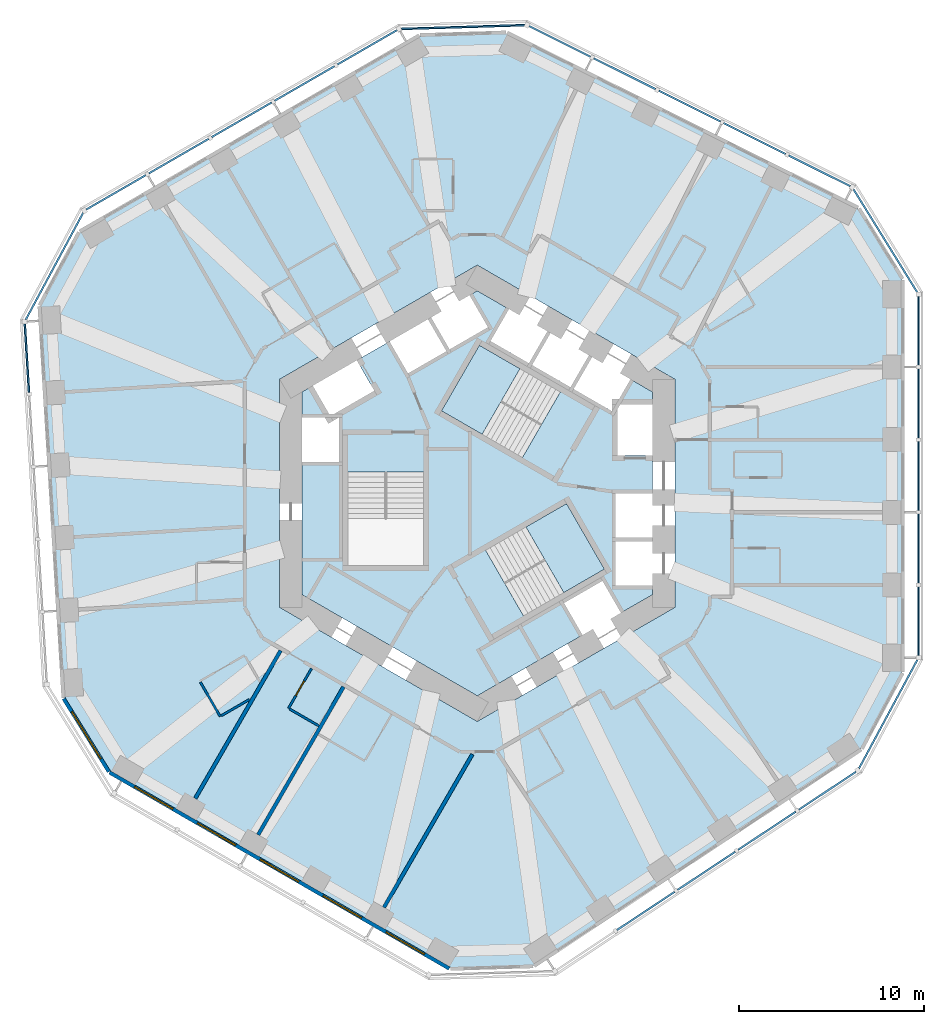
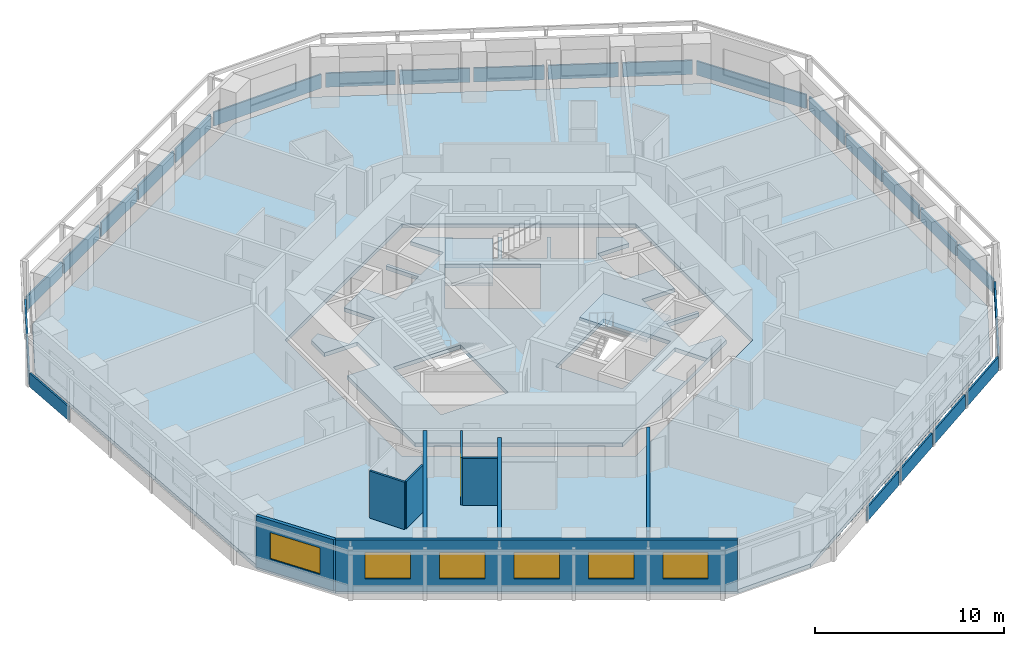
# One storey, part 3 of 12: 24 plates, 9 walls, 6 windows, 4 slabs, 1 door, 7 openings, 11 elements without a shape of their own.
"""IFC4 building model written with IfcOpenShell, lengths in metres."""

from ifc_helpers import new_model, si_unit, direction, frame, frame_2d, origin, origin_2d, place, context, subcontext, project, spatial, polyline, rectangle, outline, extrude, material, layer, layer_set, type_object, element, fill, aggregate, save


model = new_model("IFC4")

# Units and contexts
model_context = context("Model", 3, precision=1e-05, world=origin(), true_north=direction((0.0, 1.0)))
body_context = subcontext(model_context, "Body", "Model", "MODEL_VIEW")
ifc_project = project(units=[si_unit("LENGTHUNIT", "METRE"), si_unit("AREAUNIT", "SQUARE_METRE"), si_unit("VOLUMEUNIT", "CUBIC_METRE"), si_unit("PLANEANGLEUNIT", "RADIAN"), si_unit("MASSUNIT", "GRAM", prefix="KILO")], contexts=[model_context])

# Site, building, storey
site_placement = place(None, origin())
site = spatial("IfcSite", under=ifc_project, at=site_placement, CompositionType="ELEMENT")
building_placement = place(site_placement, origin())
building = spatial("IfcBuilding", under=site, at=building_placement, Name="Vanh Sen Convention Tower", CompositionType="ELEMENT")
storey_placement = place(building_placement, frame((0.0, 0.0, 50.60009765625)))
storey = spatial("IfcBuildingStorey", under=building, at=storey_placement, Name="L09", CompositionType="ELEMENT", Elevation=50.60009765625)

# Slabs
ifc_material_1 = material(Name="Concrete C40/50", Category="concrete")
ifc_layer_1 = layer(ifc_material_1, 0.25)
ifc_layer_set_1 = layer_set([ifc_layer_1], Name="Concrete C40/50")
slab_type_1 = type_object("IfcSlabType", Name="Core slab 250", PredefinedType="FLOOR", material=ifc_layer_set_1)
slab_1_placement = place(storey_placement, frame((0.0, 0.0, -0.25)))
element("IfcSlab", 1, at=slab_1_placement, inside=storey, type_object=slab_type_1, Name="Core slab L09", PredefinedType="FLOOR", context=body_context, shape_type="SweptSolid", body=[
    extrude(outline(polyline([(9.5, 5.48486328125), (9.5, 4.800048828125), (7.60009765625, 4.800048828125), (7.60009765625, 2.050048828125), (9.5, 2.050048828125), (9.5, 0.0), (7.5, 0.0), (7.5, -2.39990234375), (9.5, -2.39990234375), (9.5, -2.60009765625), (7.5, -2.60009765625), (7.5, -5.0), (9.5, -5.0), (9.5, -5.48486328125), (0.0, -10.9697265625), (-9.5, -5.48486328125), (-9.5, 1.699951171875), (-7.5, 1.699951171875), (-7.5, 4.10009765625), (-9.5, 4.10009765625), (-9.5, 5.48486328125), (-8.906982421875, 5.8271484375), (-7.956787109375, 4.181884765625), (-5.575439453125, 5.556884765625), (-6.525390625, 7.2021484375), (-4.75, 8.227294921875), (-3.75, 6.4951171875), (-1.67138671875, 7.6953125), (-2.67138671875, 9.42724609375), (-2.498291015625, 9.527099609375), (-1.498291015625, 7.795166015625), (0.580078125, 8.9951171875), (-0.419921875, 10.727294921875), (0.0, 10.9697265625), (1.718994140625, 9.977294921875), (0.718994140625, 8.2451171875), (2.79736328125, 7.045166015625), (3.79736328125, 8.777099609375), (3.970703125, 8.67724609375), (2.970703125, 6.9453125), (5.049072265625, 5.7451171875), (6.049072265625, 7.477294921875), (6.22216796875, 7.377197265625), (5.22216796875, 5.645263671875), (7.30078125, 4.4453125), (8.30078125, 6.17724609375), (9.5, 5.48486328125)]), holes=[polyline([(-7.0, 3.14990234375), (-7.0, -3.909912109375), (-2.89990234375, -3.909912109375), (-2.89990234375, 3.14990234375), (-2.89990234375, 1.1494140625), (-7.0, 1.1494140625), (-7.0, 3.14990234375)]), polyline([(4.495361328125, 5.487548828125), (6.22802734375, 4.4873046875), (0.11376953125, 8.01708984375), (-1.936279296875, 4.466552734375), (2.4453125, 1.936767578125), (4.495361328125, 5.487548828125)]), polyline([(7.781005859375, -6.477294921875), (6.781005859375, -4.7451171875), (4.70263671875, -5.9453125), (5.70263671875, -7.67724609375), (7.781005859375, -6.477294921875)]), polyline([(0.45458984375, -3.086181640625), (2.504638671875, -6.63671875), (6.88623046875, -4.107177734375), (4.836181640625, -0.556396484375), (-1.278076171875, -4.08642578125), (0.45458984375, -3.086181640625)])]), origin(), (0.0, 0.0, 1.0), 0.25),
])
ifc_layer_2 = layer(ifc_material_1, 0.25)
ifc_layer_set_2 = layer_set([ifc_layer_2], Name="Concrete C40/50")
slab_type_2 = type_object("IfcSlabType", Name="Floor slab 250 REI 120", PredefinedType="FLOOR", material=ifc_layer_set_2)
slab_2_placement = place(storey_placement, frame((0.0, 0.0, -0.25)))
element("IfcSlab", 2, at=slab_2_placement, inside=storey, type_object=slab_type_2, Name="Floor slab L09 tower", PredefinedType="FLOOR", context=body_context, shape_type="SweptSolid", body=[
    extrude(outline(polyline([(23.0, -9.69921875), (23.0, 11.57373046875), (20.620361328125, 15.419189453125), (1.58251953125, 24.911376953125), (-3.10009765625, 24.768310546875), (-21.523193359375, 14.131591796875), (-23.663818359375, 10.14794921875), (-22.364990234375, -11.085205078125), (-19.89990234375, -15.069091796875), (-1.476806640625, -25.705322265625), (3.04345703125, -25.5673828125), (20.78271484375, -13.825927734375), (23.0, -9.69921875)]), holes=[polyline([(0.0, 12.355224609375), (-10.699951171875, 6.177490234375), (-10.699951171875, -6.177490234375), (0.0, -12.355224609375), (10.699951171875, -6.177490234375), (10.699951171875, 6.177490234375), (0.0, 12.355224609375)])]), origin(), (0.0, 0.0, 1.0), 0.25),
])

# Curtain wall, plates
ifc_material_2 = material(Name="Concrete C50/60", Category="concrete")
curtain_wall_type = type_object("IfcCurtainWallType", Name="Outer skin hotel zone", PredefinedType="NOTDEFINED", material=ifc_material_2)
curtain_wall_1_placement = place(storey_placement, origin())
curtain_wall_1 = element("IfcCurtainWall", 3, at=curtain_wall_1_placement, inside=storey, type_object=curtain_wall_type, Name="OUTER SKIN E L09", PredefinedType="NOTDEFINED")
ifc_layer_3 = layer(ifc_material_2, 0.10009765625)
ifc_layer_set_3 = layer_set([ifc_layer_3], Name="Concrete C50/60")
plate_type = type_object("IfcPlateType", Name="Outer skin precast screen panel 100", PredefinedType="CURTAIN_PANEL", material=ifc_layer_set_3)
plate_1_placement = place(storey_placement, frame((23.89990234375, -6.91943359375, 0.0), z_axis=(0.0, 0.0, 1.0), x_axis=(0.0, 1.0, 0.0)))
plate_1 = element("IfcPlate", 4, at=plate_1_placement, type_object=plate_type, Name="OUTER SKIN screen panel E-1", PredefinedType="CURTAIN_PANEL", context=body_context, shape_type="SweptSolid", body=[
    extrude(rectangle(XDim=3.709716796875, YDim=0.10009765625, at=origin_2d()), origin(), (0.0, 0.0, 1.0), 0.89990234375),
])
plate_2_placement = place(storey_placement, frame((23.89990234375, -2.997314453125, 0.0), z_axis=(0.0, 0.0, 1.0), x_axis=(0.0, 1.0, 0.0)))
plate_2 = element("IfcPlate", 5, at=plate_2_placement, type_object=plate_type, Name="OUTER SKIN screen panel E-2", PredefinedType="CURTAIN_PANEL", context=body_context, shape_type="SweptSolid", body=[
    extrude(rectangle(XDim=3.734619140625, YDim=0.10009765625, at=origin_2d()), origin(), (0.0, 0.0, 1.0), 0.89990234375),
])
plate_3_placement = place(storey_placement, frame((23.89990234375, 0.937255859375, 0.0), z_axis=(0.0, 0.0, 1.0), x_axis=(0.0, 1.0, 0.0)))
plate_3 = element("IfcPlate", 6, at=plate_3_placement, type_object=plate_type, Name="OUTER SKIN screen panel E-3", PredefinedType="CURTAIN_PANEL", context=body_context, shape_type="SweptSolid", body=[
    extrude(rectangle(XDim=3.734619140625, YDim=0.10009765625, at=origin_2d()), origin(), (0.0, 0.0, 1.0), 0.89990234375),
])
plate_4_placement = place(storey_placement, frame((23.89990234375, 4.871826171875, 0.0), z_axis=(0.0, 0.0, 1.0), x_axis=(0.0, 1.0, 0.0)))
plate_4 = element("IfcPlate", 7, at=plate_4_placement, type_object=plate_type, Name="OUTER SKIN screen panel E-4", PredefinedType="CURTAIN_PANEL", context=body_context, shape_type="SweptSolid", body=[
    extrude(rectangle(XDim=3.734619140625, YDim=0.10009765625, at=origin_2d()), origin(), (0.0, 0.0, 1.0), 0.89990234375),
])
plate_5_placement = place(storey_placement, frame((23.89990234375, 8.7939453125, 0.0), z_axis=(0.0, 0.0, 1.0), x_axis=(0.0, 1.0, 0.0)))
plate_5 = element("IfcPlate", 8, at=plate_5_placement, type_object=plate_type, Name="OUTER SKIN screen panel E-5", PredefinedType="CURTAIN_PANEL", context=body_context, shape_type="SweptSolid", body=[
    extrude(rectangle(XDim=3.709716796875, YDim=0.10009765625, at=origin_2d()), origin(), (0.0, 0.0, 1.0), 0.89990234375),
])
aggregate(curtain_wall_1, [plate_1, plate_2, plate_3, plate_4, plate_5])

# Curtain wall, plate
curtain_wall_2_placement = place(storey_placement, origin())
curtain_wall_2 = element("IfcCurtainWall", 9, at=curtain_wall_2_placement, inside=storey, type_object=curtain_wall_type, Name="OUTER SKIN CH1 L09", PredefinedType="NOTDEFINED")
plate_6_placement = place(storey_placement, frame((22.102783203125, 13.677734375, 0.0), z_axis=(0.0, 0.0, 1.0), x_axis=(-0.526212439506, 0.850353143411, 0.0)))
plate_6 = element("IfcPlate", 10, at=plate_6_placement, type_object=plate_type, Name="OUTER SKIN screen panel CH1-1", PredefinedType="CURTAIN_PANEL", context=body_context, shape_type="SweptSolid", body=[
    extrude(rectangle(XDim=6.580078125, YDim=0.10009765625, at=origin_2d()), origin(), (0.0, 0.0, 1.0), 0.89990234375),
])
aggregate(curtain_wall_2, [plate_6])

# Curtain wall, plates
curtain_wall_3_placement = place(storey_placement, origin())
curtain_wall_3 = element("IfcCurtainWall", 11, at=curtain_wall_3_placement, inside=storey, type_object=curtain_wall_type, Name="OUTER SKIN NE L09", PredefinedType="NOTDEFINED")
plate_7_placement = place(storey_placement, frame((18.5341796875, 17.465087890625, 0.0), z_axis=(0.0, 0.0, 1.0), x_axis=(-0.894935140363, 0.446196251154, 0.0)))
plate_7 = element("IfcPlate", 12, at=plate_7_placement, type_object=plate_type, Name="OUTER SKIN screen panel NE-1", PredefinedType="CURTAIN_PANEL", context=body_context, shape_type="SweptSolid", body=[
    extrude(rectangle(XDim=3.709716796875, YDim=0.10009765625, at=origin_2d()), origin(), (0.0, 0.0, 1.0), 0.89990234375),
])
plate_8_placement = place(storey_placement, frame((15.024169921875, 19.215087890625, 0.0), z_axis=(0.0, 0.0, 1.0), x_axis=(-0.894935140363, 0.446196251154, 0.0)))
plate_8 = element("IfcPlate", 13, at=plate_8_placement, type_object=plate_type, Name="OUTER SKIN screen panel NE-2", PredefinedType="CURTAIN_PANEL", context=body_context, shape_type="SweptSolid", body=[
    extrude(rectangle(XDim=3.734619140625, YDim=0.10009765625, at=origin_2d()), origin(), (0.0, 0.0, 1.0), 0.89990234375),
])
plate_9_placement = place(storey_placement, frame((11.5029296875, 20.970703125, 0.0), z_axis=(0.0, 0.0, 1.0), x_axis=(-0.894935140363, 0.446196251154, 0.0)))
plate_9 = element("IfcPlate", 14, at=plate_9_placement, type_object=plate_type, Name="OUTER SKIN screen panel NE-3", PredefinedType="CURTAIN_PANEL", context=body_context, shape_type="SweptSolid", body=[
    extrude(rectangle(XDim=3.734619140625, YDim=0.10009765625, at=origin_2d()), origin(), (0.0, 0.0, 1.0), 0.89990234375),
])
plate_10_placement = place(storey_placement, frame((7.981689453125, 22.726318359375, 0.0), z_axis=(0.0, 0.0, 1.0), x_axis=(-0.894935140363, 0.446196251154, 0.0)))
plate_10 = element("IfcPlate", 15, at=plate_10_placement, type_object=plate_type, Name="OUTER SKIN screen panel NE-4", PredefinedType="CURTAIN_PANEL", context=body_context, shape_type="SweptSolid", body=[
    extrude(rectangle(XDim=3.734619140625, YDim=0.10009765625, at=origin_2d()), origin(), (0.0, 0.0, 1.0), 0.89990234375),
])
plate_11_placement = place(storey_placement, frame((4.4716796875, 24.476318359375, 0.0), z_axis=(0.0, 0.0, 1.0), x_axis=(-0.894935140363, 0.446196251154, 0.0)))
plate_11 = element("IfcPlate", 16, at=plate_11_placement, type_object=plate_type, Name="OUTER SKIN screen panel NE-5", PredefinedType="CURTAIN_PANEL", context=body_context, shape_type="SweptSolid", body=[
    extrude(rectangle(XDim=3.709716796875, YDim=0.10009765625, at=origin_2d()), origin(), (0.0, 0.0, 1.0), 0.89990234375),
])
aggregate(curtain_wall_3, [plate_7, plate_8, plate_9, plate_10, plate_11])

# Curtain wall, plate
curtain_wall_4_placement = place(storey_placement, origin())
curtain_wall_4 = element("IfcCurtainWall", 17, at=curtain_wall_4_placement, inside=storey, type_object=curtain_wall_type, Name="OUTER SKIN CH2 L09", PredefinedType="NOTDEFINED")
plate_12_placement = place(storey_placement, frame((-0.771484375, 25.253662109375, 0.0), z_axis=(0.0, 0.0, 1.0), x_axis=(-0.999533644135, -0.030536768695, 0.0)))
plate_12 = element("IfcPlate", 18, at=plate_12_placement, type_object=plate_type, Name="OUTER SKIN screen panel CH2-1", PredefinedType="CURTAIN_PANEL", context=body_context, shape_type="SweptSolid", body=[
    extrude(rectangle(XDim=6.696044921875, YDim=0.10009765625, at=origin_2d()), origin(), (0.0, 0.0, 1.0), 0.89990234375),
])
aggregate(curtain_wall_4, [plate_12])

# Curtain wall, plates
curtain_wall_5_placement = place(storey_placement, origin())
curtain_wall_5 = element("IfcCurtainWall", 19, at=curtain_wall_5_placement, inside=storey, type_object=curtain_wall_type, Name="OUTER SKIN NW L09", PredefinedType="NOTDEFINED")
plate_13_placement = place(storey_placement, frame((-5.95751953125, 24.15771484375, 0.0), z_axis=(0.0, 0.0, 1.0), x_axis=(-0.866028021766, -0.499995465495, 0.0)))
plate_13 = element("IfcPlate", 20, at=plate_13_placement, type_object=plate_type, Name="OUTER SKIN screen panel NW-1", PredefinedType="CURTAIN_PANEL", context=body_context, shape_type="SweptSolid", body=[
    extrude(rectangle(XDim=3.709716796875, YDim=0.10009765625, at=origin_2d()), origin(), (0.0, 0.0, 1.0), 0.89990234375),
])
plate_14_placement = place(storey_placement, frame((-9.354248046875, 22.19677734375, 0.0), z_axis=(0.0, 0.0, 1.0), x_axis=(-0.866021040428, -0.500007557478, 0.0)))
plate_14 = element("IfcPlate", 21, at=plate_14_placement, type_object=plate_type, Name="OUTER SKIN screen panel NW-2", PredefinedType="CURTAIN_PANEL", context=body_context, shape_type="SweptSolid", body=[
    extrude(rectangle(XDim=3.734619140625, YDim=0.10009765625, at=origin_2d()), origin(), (0.0, 0.0, 1.0), 0.89990234375),
])
plate_15_placement = place(storey_placement, frame((-12.76171875, 20.2294921875, 0.0), z_axis=(0.0, 0.0, 1.0), x_axis=(-0.866028021766, -0.499995465495, 0.0)))
plate_15 = element("IfcPlate", 22, at=plate_15_placement, type_object=plate_type, Name="OUTER SKIN screen panel NW-3", PredefinedType="CURTAIN_PANEL", context=body_context, shape_type="SweptSolid", body=[
    extrude(rectangle(XDim=3.734619140625, YDim=0.10009765625, at=origin_2d()), origin(), (0.0, 0.0, 1.0), 0.89990234375),
])
plate_16_placement = place(storey_placement, frame((-16.169189453125, 18.26220703125, 0.0), z_axis=(0.0, 0.0, 1.0), x_axis=(-0.866028021766, -0.499995465495, 0.0)))
plate_16 = element("IfcPlate", 23, at=plate_16_placement, type_object=plate_type, Name="OUTER SKIN screen panel NW-4", PredefinedType="CURTAIN_PANEL", context=body_context, shape_type="SweptSolid", body=[
    extrude(rectangle(XDim=3.734619140625, YDim=0.10009765625, at=origin_2d()), origin(), (0.0, 0.0, 1.0), 0.89990234375),
])
plate_17_placement = place(storey_placement, frame((-19.56591796875, 16.301025390625, 0.0), z_axis=(0.0, 0.0, 1.0), x_axis=(-0.866021040428, -0.500007557478, 0.0)))
plate_17 = element("IfcPlate", 24, at=plate_17_placement, type_object=plate_type, Name="OUTER SKIN screen panel NW-5", PredefinedType="CURTAIN_PANEL", context=body_context, shape_type="SweptSolid", body=[
    extrude(rectangle(XDim=3.70947265625, YDim=0.10009765625, at=origin_2d()), origin(), (0.0, 0.0, 1.0), 0.89990234375),
])
aggregate(curtain_wall_5, [plate_13, plate_14, plate_15, plate_16, plate_17])

# Curtain wall, plate
curtain_wall_6_placement = place(storey_placement, origin())
curtain_wall_6 = element("IfcCurtainWall", 25, at=curtain_wall_6_placement, inside=storey, type_object=curtain_wall_type, Name="OUTER SKIN CH3 L09", PredefinedType="NOTDEFINED")
plate_18_placement = place(storey_placement, frame((-22.896728515625, 12.302978515625, 0.0), z_axis=(0.0, 0.0, 1.0), x_axis=(-0.47331812974, -0.880891564303, 0.0)))
plate_18 = element("IfcPlate", 26, at=plate_18_placement, type_object=plate_type, Name="OUTER SKIN screen panel CH3-1", PredefinedType="CURTAIN_PANEL", context=body_context, shape_type="SweptSolid", body=[
    extrude(rectangle(XDim=6.580078125, YDim=0.10009765625, at=origin_2d()), origin(), (0.0, 0.0, 1.0), 0.89990234375),
])
aggregate(curtain_wall_6, [plate_18])

curtain_wall_7_placement = place(storey_placement, origin())
curtain_wall_7 = element("IfcCurtainWall", 27, at=curtain_wall_7_placement, inside=storey, type_object=curtain_wall_type, Name="OUTER SKIN W L09", PredefinedType="NOTDEFINED")
plate_19_placement = place(storey_placement, frame((-24.39208984375, 7.318603515625, 0.0), z_axis=(0.0, 0.0, 1.0), x_axis=(0.061046797461, -0.99813490497, 0.0)))
plate_19 = element("IfcPlate", 28, at=plate_19_placement, type_object=plate_type, Name="OUTER SKIN screen panel W-1", PredefinedType="CURTAIN_PANEL", context=body_context, shape_type="SweptSolid", body=[
    extrude(rectangle(XDim=3.709716796875, YDim=0.10009765625, at=origin_2d()), origin(), (0.0, 0.0, 1.0), 0.89990234375),
])
aggregate(curtain_wall_7, [plate_19])

# Curtain wall, plates
curtain_wall_8_placement = place(storey_placement, origin())
curtain_wall_8 = element("IfcCurtainWall", 29, at=curtain_wall_8_placement, inside=storey, type_object=curtain_wall_type, Name="OUTER SKIN SE L09", PredefinedType="NOTDEFINED")
plate_20_placement = place(storey_placement, frame((9.128662109375, -22.618896484375, 0.0), z_axis=(0.0, 0.0, 1.0), x_axis=(0.833891601892, 0.55192825285, 0.0)))
plate_20 = element("IfcPlate", 30, at=plate_20_placement, type_object=plate_type, Name="OUTER SKIN screen panel SE-2", PredefinedType="CURTAIN_PANEL", context=body_context, shape_type="SweptSolid", body=[
    extrude(rectangle(XDim=3.734619140625, YDim=0.10009765625, at=origin_2d()), origin(), (0.0, 0.0, 1.0), 0.89990234375),
])
plate_21_placement = place(storey_placement, frame((12.40966796875, -20.447265625, 0.0), z_axis=(0.0, 0.0, 1.0), x_axis=(0.833880042151, 0.551945717714, 0.0)))
plate_21 = element("IfcPlate", 31, at=plate_21_placement, type_object=plate_type, Name="OUTER SKIN screen panel SE-3", PredefinedType="CURTAIN_PANEL", context=body_context, shape_type="SweptSolid", body=[
    extrude(rectangle(XDim=3.734619140625, YDim=0.10009765625, at=origin_2d()), origin(), (0.0, 0.0, 1.0), 0.89990234375),
])
plate_22_placement = place(storey_placement, frame((15.690673828125, -18.275390625, 0.0), z_axis=(0.0, 0.0, 1.0), x_axis=(0.833891601892, 0.55192825285, 0.0)))
plate_22 = element("IfcPlate", 32, at=plate_22_placement, type_object=plate_type, Name="OUTER SKIN screen panel SE-4", PredefinedType="CURTAIN_PANEL", context=body_context, shape_type="SweptSolid", body=[
    extrude(rectangle(XDim=3.734619140625, YDim=0.10009765625, at=origin_2d()), origin(), (0.0, 0.0, 1.0), 0.89990234375),
])
plate_23_placement = place(storey_placement, frame((18.961181640625, -16.11083984375, 0.0), z_axis=(0.0, 0.0, 1.0), x_axis=(0.833880042151, 0.551945717714, 0.0)))
plate_23 = element("IfcPlate", 33, at=plate_23_placement, type_object=plate_type, Name="OUTER SKIN screen panel SE-5", PredefinedType="CURTAIN_PANEL", context=body_context, shape_type="SweptSolid", body=[
    extrude(rectangle(XDim=3.709716796875, YDim=0.10009765625, at=origin_2d()), origin(), (0.0, 0.0, 1.0), 0.89990234375),
])
aggregate(curtain_wall_8, [plate_20, plate_21, plate_22, plate_23])

# Curtain wall, plate
curtain_wall_9_placement = place(storey_placement, origin())
curtain_wall_9 = element("IfcCurtainWall", 34, at=curtain_wall_9_placement, inside=storey, type_object=curtain_wall_type, Name="OUTER SKIN CH6 L09", PredefinedType="NOTDEFINED")
plate_24_placement = place(storey_placement, frame((22.256103515625, -11.95849609375, 0.0), z_axis=(0.0, 0.0, 1.0), x_axis=(0.473322742071, 0.880889086003, 0.0)))
plate_24 = element("IfcPlate", 35, at=plate_24_placement, type_object=plate_type, Name="OUTER SKIN screen panel CH6-1", PredefinedType="CURTAIN_PANEL", context=body_context, shape_type="SweptSolid", body=[
    extrude(rectangle(XDim=6.6962890625, YDim=0.10009765625, at=origin_2d()), origin(), (0.0, 0.0, 1.0), 0.89990234375),
])
aggregate(curtain_wall_9, [plate_24])

# Stair, slab
ifc_material_3 = material(Name="Concrete C50/60", Category="concrete")
stair_type_1 = type_object("IfcStairType", Name="Exit stair ST1 20 risers at 165.0", PredefinedType="HALF_TURN_STAIR", material=ifc_material_3)
stair_1_placement = place(storey_placement, origin())
stair_1 = element("IfcStair", 36, at=stair_1_placement, inside=storey, type_object=stair_type_1, Name="Exit stair ST1 L09", PredefinedType="HALF_TURN_STAIR")
ifc_layer_4 = layer(ifc_material_1, 0.199951171875)
ifc_layer_set_4 = layer_set([ifc_layer_4], Name="Concrete C40/50")
slab_type_3 = type_object("IfcSlabType", Name="Stair landing 200", PredefinedType="LANDING", material=ifc_layer_set_4)
slab_3_placement = place(storey_placement, frame((0.0, 0.0, 1.449951171875)))
slab_3 = element("IfcSlab", 37, at=slab_3_placement, type_object=slab_type_3, Name="ST1 landing 1", PredefinedType="LANDING", context=body_context, shape_type="SweptSolid", body=[
    extrude(outline(polyline([(2.314208984375, 6.746826171875), (0.11376953125, 8.01708984375), (-1.936279296875, 4.466552734375), (0.26416015625, 3.196044921875), (2.314208984375, 6.746826171875)])), origin(), (0.0, 0.0, 1.0), 0.199951171875),
])
aggregate(stair_1, [slab_3])

stair_type_2 = type_object("IfcStairType", Name="Exit stair ST3 20 risers at 165.0", PredefinedType="HALF_TURN_STAIR", material=ifc_material_3)
stair_2_placement = place(storey_placement, origin())
stair_2 = element("IfcStair", 38, at=stair_2_placement, inside=storey, type_object=stair_type_2, Name="Exit stair ST3 L09", PredefinedType="HALF_TURN_STAIR")
slab_4_placement = place(storey_placement, frame((0.0, 0.0, 1.449951171875)))
slab_4 = element("IfcSlab", 39, at=slab_4_placement, type_object=slab_type_3, Name="ST3 landing 1", PredefinedType="LANDING", context=body_context, shape_type="SweptSolid", body=[
    extrude(outline(polyline([(4.685791015625, -5.37744140625), (6.88623046875, -4.107177734375), (4.836181640625, -0.556396484375), (2.6357421875, -1.826904296875), (4.685791015625, -5.37744140625)])), origin(), (0.0, 0.0, 1.0), 0.199951171875),
])
aggregate(stair_2, [slab_4])

# Walls
ifc_material_4 = material(Name="Moisture-resistant gypsum board on steel studs", Category="steel")
ifc_layer_5 = layer(ifc_material_4, 0.1201171875)
ifc_layer_set_5 = layer_set([ifc_layer_5], Name="Moisture-resistant gypsum board on steel studs")
wall_type_1 = type_object("IfcWallType", Name="Bathroom partition 120", PredefinedType="PARTITIONING", material=ifc_layer_set_5)
wall_1_placement = place(storey_placement, frame((-13.92578125, -12.081298828125, 0.0), z_axis=(0.0, 0.0, 1.0), x_axis=(-0.499992422807, 0.866029778435, 0.0)))
element("IfcWall", 40, at=wall_1_placement, inside=storey, type_object=wall_type_1, Name="Bathroom partition 120", PredefinedType="PARTITIONING", context=body_context, shape_type="SweptSolid", body=[
    extrude(rectangle(XDim=2.1396484375, YDim=0.1201171875, at=frame_2d((1.06982421875, 0.0))), origin(), (0.0, 0.0, 1.0), 3.0498046875),
])
wall_2_placement = place(storey_placement, frame((-12.341552734375, -11.166748046875, 0.0), z_axis=(0.0, 0.0, 1.0), x_axis=(-0.865992557167, -0.500056887695, 0.0)))
element("IfcWall", 41, at=wall_2_placement, inside=storey, type_object=wall_type_1, Name="Bathroom partition 120", PredefinedType="PARTITIONING", context=body_context, shape_type="SweptSolid", body=[
    extrude(rectangle(XDim=1.769287109375, YDim=0.1201171875, at=frame_2d((0.884765625, 0.0))), origin(), (0.0, 0.0, 1.0), 3.0498046875),
])

# Wall, opening, door
wall_3_placement = place(storey_placement, frame((-10.22412109375, -11.6484375, 0.0), z_axis=(0.0, 0.0, 1.0), x_axis=(0.500004234368, 0.866022959057, 0.0)))
wall_3 = element("IfcWall", 42, at=wall_3_placement, inside=storey, type_object=wall_type_1, Name="Bathroom partition 120", PredefinedType="PARTITIONING", context=body_context, shape_type="SweptSolid", body=[
    extrude(rectangle(XDim=2.5, YDim=0.1201171875, at=frame_2d((1.25, 0.0))), origin(), (0.0, 0.0, 1.0), 3.0498046875),
])
opening_1_placement = place(wall_3_placement, frame((0.800048828125, 0.0, 0.0)))
opening_1 = element("IfcOpeningElement", 43, at=opening_1_placement, cuts=wall_3, Name="Opening D07125", PredefinedType="OPENING", context=body_context, shape_type="SweptSolid", body=[
    extrude(rectangle(XDim=0.89990234375, YDim=2.10009765625, at=frame_2d((0.449951171875, 1.050048828125))), frame((0.0, 0.070068359375, 0.0), z_axis=(0.0, -1.0, 0.0), x_axis=(1.0, 0.0, 0.0)), (0.0, 0.0, 1.0), 0.14013671875),
])
ifc_material_5 = material(Name="Laminate door in steel frame", Category="steel")
door_type = type_object("IfcDoorType", Name="En-suite door 900", OperationType="SINGLE_SWING_LEFT", PredefinedType="DOOR", material=ifc_material_5)
door_placement = place(opening_1_placement, origin())
door = element("IfcDoor", 44, at=door_placement, inside=storey, type_object=door_type, Name="En-suite door D07125", OperationType="SINGLE_SWING_LEFT", OverallHeight=2.10009765625, OverallWidth=0.89990234375, PredefinedType="DOOR", context=body_context, shape_type="SweptSolid", body=[
    extrude(rectangle(XDim=0.89990234375, YDim=2.10009765625, at=frame_2d((0.449951171875, 1.050048828125))), frame((0.0, 0.02490234375, 0.0), z_axis=(0.0, -1.0, 0.0), x_axis=(1.0, 0.0, 0.0)), (0.0, 0.0, 1.0), 0.050048828125),
])
fill(opening_1, door)

# Wall
wall_4_placement = place(storey_placement, frame((-8.57861328125, -12.598388671875, 0.0), z_axis=(0.0, 0.0, 1.0), x_axis=(-0.866046386007, 0.499963655964, 0.0)))
element("IfcWall", 45, at=wall_4_placement, inside=storey, type_object=wall_type_1, Name="Bathroom partition 120", PredefinedType="PARTITIONING", context=body_context, shape_type="SweptSolid", body=[
    extrude(rectangle(XDim=1.840087890625, YDim=0.1201171875, at=frame_2d((0.919921875, 0.0))), origin(), (0.0, 0.0, 1.0), 3.0498046875),
])

# Wall, opening, window
ifc_material_6 = material(Name="Insulated lightweight infill wall")
ifc_layer_6 = layer(ifc_material_6, 0.199951171875)
ifc_layer_set_6 = layer_set([ifc_layer_6], Name="Insulated lightweight infill wall")
wall_type_2 = type_object("IfcWallType", Name="External wall 200", PredefinedType="STANDARD", material=ifc_layer_set_6)
wall_5_placement = place(storey_placement, frame((-22.40087890625, -11.122314453125, 0.0), z_axis=(0.0, 0.0, 1.0), x_axis=(0.526197679914, -0.850362276711, 0.0)))
wall_5 = element("IfcWall", 46, at=wall_5_placement, inside=storey, type_object=wall_type_2, Name="External wall CH4 L09", PredefinedType="STANDARD", context=body_context, shape_type="SweptSolid", body=[
    extrude(rectangle(XDim=4.65966796875, YDim=0.199951171875, at=frame_2d((2.329833984375, 0.0))), origin(), (0.0, 0.0, 1.0), 3.2998046875),
])
opening_2_placement = place(wall_5_placement, frame((0.829833984375, 0.0, 0.800048828125)))
opening_2 = element("IfcOpeningElement", 47, at=opening_2_placement, cuts=wall_5, Name="Opening WH2-CH41", PredefinedType="OPENING", context=body_context, shape_type="SweptSolid", body=[
    extrude(rectangle(XDim=3.0, YDim=1.699951171875, at=frame_2d((1.5, 0.85009765625))), frame((0.0, 0.10986328125, 0.0), z_axis=(0.0, -1.0, 0.0), x_axis=(1.0, 0.0, 0.0)), (0.0, 0.0, 1.0), 0.219970703125),
])
ifc_material_7 = material(Name="Aluminium frame with clear low-emissivity glass", Category="aluminium")
window_type_1 = type_object("IfcWindowType", Name="Hotel window 3000 x 1700", PartitioningType="SINGLE_PANEL", PredefinedType="WINDOW", material=ifc_material_7)
window_1_placement = place(opening_2_placement, origin())
window_1 = element("IfcWindow", 48, at=window_1_placement, inside=storey, type_object=window_type_1, Name="Window WH2-CH41", OverallHeight=1.699951171875, OverallWidth=3.0, PartitioningType="SINGLE_PANEL", PredefinedType="WINDOW", context=body_context, shape_type="SweptSolid", body=[
    extrude(rectangle(XDim=3.0, YDim=1.699951171875, at=frame_2d((1.5, 0.85009765625))), frame((0.0, 0.030029296875, 0.0), z_axis=(0.0, -1.0, 0.0), x_axis=(1.0, 0.0, 0.0)), (0.0, 0.0, 1.0), 0.06005859375),
])
fill(opening_2, window_1)

# Wall, openings, windows
wall_6_placement = place(storey_placement, frame((-19.913818359375, -15.11865234375, 0.0), z_axis=(0.0, 0.0, 1.0), x_axis=(0.866025418898, -0.499999973822, 0.0)))
wall_6 = element("IfcWall", 49, at=wall_6_placement, inside=storey, type_object=wall_type_2, Name="External wall SW L09", PredefinedType="STANDARD", context=body_context, shape_type="SweptSolid", body=[
    extrude(rectangle(XDim=21.24609375, YDim=0.199951171875, at=frame_2d((10.623046875, 0.0))), origin(), (0.0, 0.0, 1.0), 3.2998046875),
])
opening_3_placement = place(wall_6_placement, frame((1.5546875, 0.0, 0.800048828125)))
opening_3 = element("IfcOpeningElement", 50, at=opening_3_placement, cuts=wall_6, Name="Opening WH1-SW1", PredefinedType="OPENING", context=body_context, shape_type="SweptSolid", body=[
    extrude(rectangle(XDim=2.39990234375, YDim=1.699951171875, at=frame_2d((1.199951171875, 0.85009765625))), frame((0.0, 0.10986328125, 0.0), z_axis=(0.0, -1.0, 0.0), x_axis=(1.0, 0.0, 0.0)), (0.0, 0.0, 1.0), 0.219970703125),
])
opening_4_placement = place(wall_6_placement, frame((5.4892578125, 0.0, 0.800048828125)))
opening_4 = element("IfcOpeningElement", 51, at=opening_4_placement, cuts=wall_6, Name="Opening WH1-SW2", PredefinedType="OPENING", context=body_context, shape_type="SweptSolid", body=[
    extrude(rectangle(XDim=2.39990234375, YDim=1.699951171875, at=frame_2d((1.199951171875, 0.85009765625))), frame((0.0, 0.10986328125, 0.0), z_axis=(0.0, -1.0, 0.0), x_axis=(1.0, 0.0, 0.0)), (0.0, 0.0, 1.0), 0.219970703125),
])
opening_5_placement = place(wall_6_placement, frame((9.423828125, 0.0, 0.800048828125)))
opening_5 = element("IfcOpeningElement", 52, at=opening_5_placement, cuts=wall_6, Name="Opening WH1-SW3", PredefinedType="OPENING", context=body_context, shape_type="SweptSolid", body=[
    extrude(rectangle(XDim=2.39990234375, YDim=1.699951171875, at=frame_2d((1.199951171875, 0.85009765625))), frame((0.0, 0.10986328125, 0.0), z_axis=(0.0, -1.0, 0.0), x_axis=(1.0, 0.0, 0.0)), (0.0, 0.0, 1.0), 0.219970703125),
])
opening_6_placement = place(wall_6_placement, frame((13.3583984375, 0.0, 0.800048828125)))
opening_6 = element("IfcOpeningElement", 53, at=opening_6_placement, cuts=wall_6, Name="Opening WH1-SW4", PredefinedType="OPENING", context=body_context, shape_type="SweptSolid", body=[
    extrude(rectangle(XDim=2.39990234375, YDim=1.699951171875, at=frame_2d((1.199951171875, 0.85009765625))), frame((0.0, 0.10986328125, 0.0), z_axis=(0.0, -1.0, 0.0), x_axis=(1.0, 0.0, 0.0)), (0.0, 0.0, 1.0), 0.219970703125),
])
opening_7_placement = place(wall_6_placement, frame((17.293212890625, 0.0, 0.800048828125)))
opening_7 = element("IfcOpeningElement", 54, at=opening_7_placement, cuts=wall_6, Name="Opening WH1-SW5", PredefinedType="OPENING", context=body_context, shape_type="SweptSolid", body=[
    extrude(rectangle(XDim=2.39990234375, YDim=1.699951171875, at=frame_2d((1.199951171875, 0.85009765625))), frame((0.0, 0.10986328125, 0.0), z_axis=(0.0, -1.0, 0.0), x_axis=(1.0, 0.0, 0.0)), (0.0, 0.0, 1.0), 0.219970703125),
])
window_type_2 = type_object("IfcWindowType", Name="Hotel window 2400 x 1700", PartitioningType="SINGLE_PANEL", PredefinedType="WINDOW", material=ifc_material_7)
window_2_placement = place(opening_3_placement, origin())
window_2 = element("IfcWindow", 55, at=window_2_placement, inside=storey, type_object=window_type_2, Name="Window WH1-SW1", OverallHeight=1.699951171875, OverallWidth=2.39990234375, PartitioningType="SINGLE_PANEL", PredefinedType="WINDOW", context=body_context, shape_type="SweptSolid", body=[
    extrude(rectangle(XDim=2.39990234375, YDim=1.699951171875, at=frame_2d((1.199951171875, 0.85009765625))), frame((0.0, 0.030029296875, 0.0), z_axis=(0.0, -1.0, 0.0), x_axis=(1.0, 0.0, 0.0)), (0.0, 0.0, 1.0), 0.06005859375),
])
fill(opening_3, window_2)
window_3_placement = place(opening_4_placement, origin())
window_3 = element("IfcWindow", 56, at=window_3_placement, inside=storey, type_object=window_type_2, Name="Window WH1-SW2", OverallHeight=1.699951171875, OverallWidth=2.39990234375, PartitioningType="SINGLE_PANEL", PredefinedType="WINDOW", context=body_context, shape_type="SweptSolid", body=[
    extrude(rectangle(XDim=2.39990234375, YDim=1.699951171875, at=frame_2d((1.199951171875, 0.85009765625))), frame((0.0, 0.030029296875, 0.0), z_axis=(0.0, -1.0, 0.0), x_axis=(1.0, 0.0, 0.0)), (0.0, 0.0, 1.0), 0.06005859375),
])
fill(opening_4, window_3)
window_4_placement = place(opening_5_placement, origin())
window_4 = element("IfcWindow", 57, at=window_4_placement, inside=storey, type_object=window_type_2, Name="Window WH1-SW3", OverallHeight=1.699951171875, OverallWidth=2.39990234375, PartitioningType="SINGLE_PANEL", PredefinedType="WINDOW", context=body_context, shape_type="SweptSolid", body=[
    extrude(rectangle(XDim=2.39990234375, YDim=1.699951171875, at=frame_2d((1.199951171875, 0.85009765625))), frame((0.0, 0.030029296875, 0.0), z_axis=(0.0, -1.0, 0.0), x_axis=(1.0, 0.0, 0.0)), (0.0, 0.0, 1.0), 0.06005859375),
])
fill(opening_5, window_4)
window_5_placement = place(opening_6_placement, origin())
window_5 = element("IfcWindow", 58, at=window_5_placement, inside=storey, type_object=window_type_2, Name="Window WH1-SW4", OverallHeight=1.699951171875, OverallWidth=2.39990234375, PartitioningType="SINGLE_PANEL", PredefinedType="WINDOW", context=body_context, shape_type="SweptSolid", body=[
    extrude(rectangle(XDim=2.39990234375, YDim=1.699951171875, at=frame_2d((1.199951171875, 0.85009765625))), frame((0.0, 0.030029296875, 0.0), z_axis=(0.0, -1.0, 0.0), x_axis=(1.0, 0.0, 0.0)), (0.0, 0.0, 1.0), 0.06005859375),
])
fill(opening_6, window_5)
window_6_placement = place(opening_7_placement, origin())
window_6 = element("IfcWindow", 59, at=window_6_placement, inside=storey, type_object=window_type_2, Name="Window WH1-SW5", OverallHeight=1.699951171875, OverallWidth=2.39990234375, PartitioningType="SINGLE_PANEL", PredefinedType="WINDOW", context=body_context, shape_type="SweptSolid", body=[
    extrude(rectangle(XDim=2.39990234375, YDim=1.699951171875, at=frame_2d((1.199951171875, 0.85009765625))), frame((0.0, 0.030029296875, 0.0), z_axis=(0.0, -1.0, 0.0), x_axis=(1.0, 0.0, 0.0)), (0.0, 0.0, 1.0), 0.06005859375),
])
fill(opening_7, window_6)

# Walls
ifc_material_8 = material(Name="Gypsum board on steel studs with mineral wool", Category="steel")
ifc_layer_7 = layer(ifc_material_8, 0.199951171875)
ifc_layer_set_7 = layer_set([ifc_layer_7], Name="Gypsum board on steel studs with mineral wool")
wall_type_3 = type_object("IfcWallType", Name="Hotel party wall 200", PredefinedType="PARTITIONING", material=ifc_layer_set_7)
wall_7_placement = place(storey_placement, frame((-15.2744140625, -16.527099609375, 0.0), z_axis=(0.0, 0.0, 1.0), x_axis=(0.49998823431, 0.866032196602, 0.0)))
element("IfcWall", 60, at=wall_7_placement, inside=storey, type_object=wall_type_3, Name="Hotel party wall 200", PredefinedType="PARTITIONING", context=body_context, shape_type="SweptSolid", body=[
    extrude(rectangle(XDim=9.250244140625, YDim=0.199951171875, at=frame_2d((4.625, 0.0))), origin(), (0.0, 0.0, 1.0), 3.0498046875),
])
wall_8_placement = place(storey_placement, frame((-11.8671875, -18.494140625, 0.0), z_axis=(0.0, 0.0, 1.0), x_axis=(0.499999662836, 0.866025598446, 0.0)))
element("IfcWall", 61, at=wall_8_placement, inside=storey, type_object=wall_type_3, Name="Hotel party wall 200", PredefinedType="PARTITIONING", context=body_context, shape_type="SweptSolid", body=[
    extrude(rectangle(XDim=9.25, YDim=0.199951171875, at=frame_2d((4.625, 0.0))), origin(), (0.0, 0.0, 1.0), 2.599853515625),
])
wall_9_placement = place(storey_placement, frame((-5.052001953125, -22.4287109375, 0.0), z_axis=(0.0, 0.0, 1.0), x_axis=(0.500004329283, 0.866022904257, 0.0)))
element("IfcWall", 62, at=wall_9_placement, inside=storey, type_object=wall_type_3, Name="Hotel party wall 200", PredefinedType="PARTITIONING", context=body_context, shape_type="SweptSolid", body=[
    extrude(rectangle(XDim=9.57177734375, YDim=0.199951171875, at=frame_2d((4.785888671875, 0.0))), origin(), (0.0, 0.0, 1.0), 3.0498046875),
])

save(model, "model.ifc")
